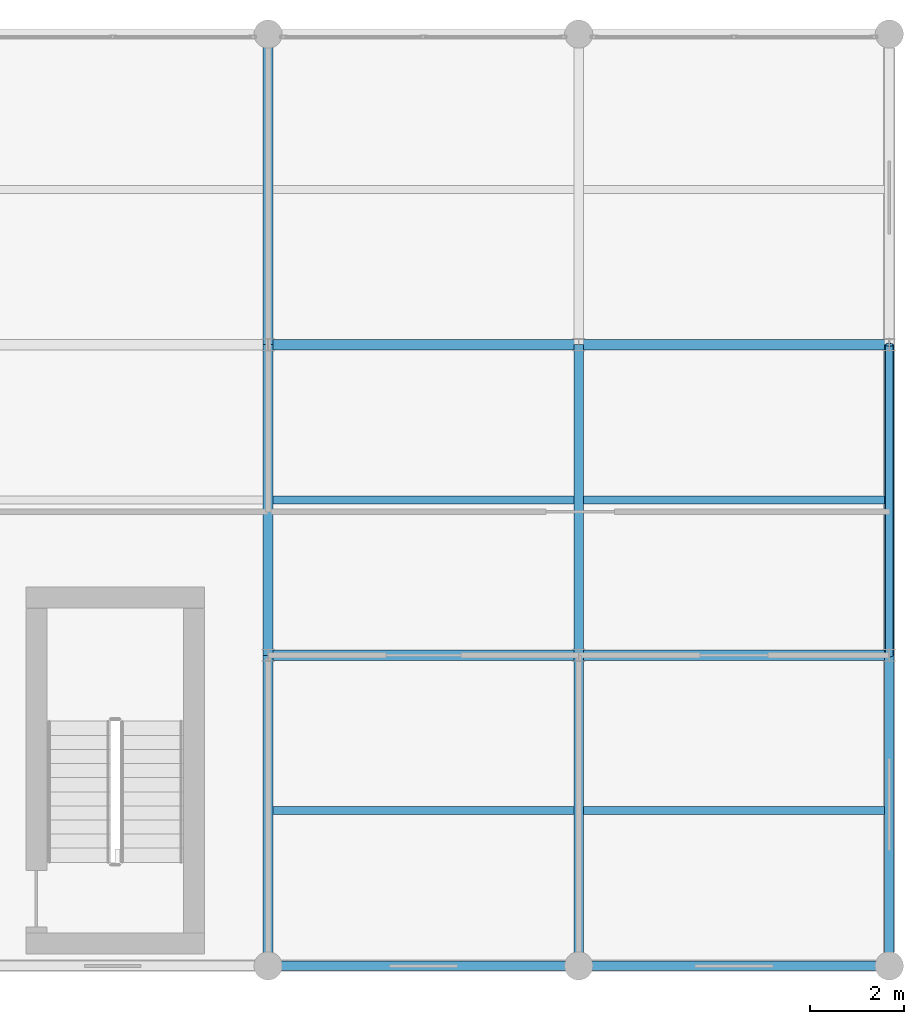
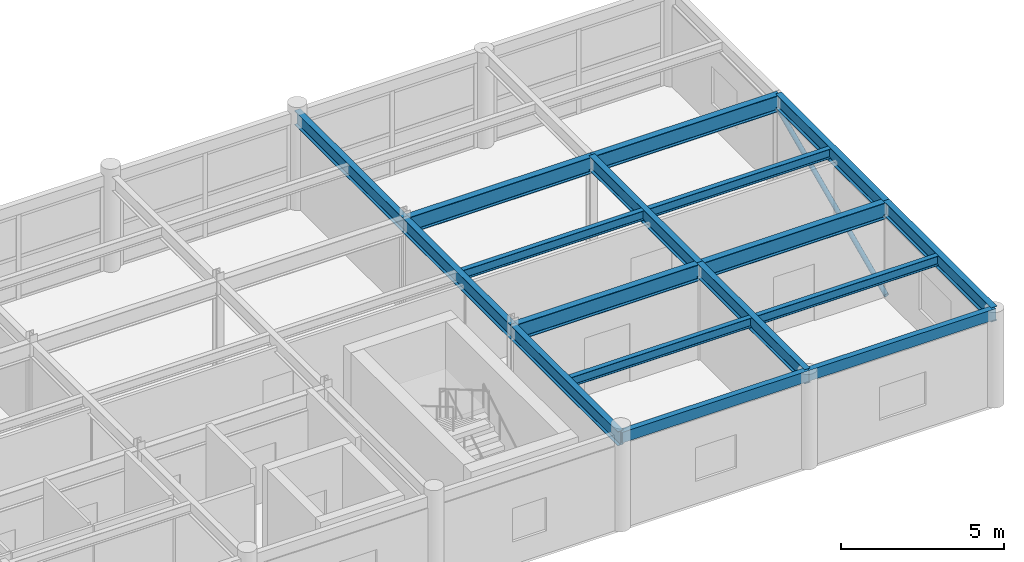
# One storey, part 9 of 17: 17 beams, 1 member.
"""IFC4 building model written with IfcOpenShell, lengths in metres."""

import ifcopenshell
import ifcopenshell.guid

model = None  # the IFC model being written
_history = None  # IfcOwnerHistory: only IFC2X3 demands one
_inside = {}  # id of a spatial element -> (the spatial element, [elements in it])
_under = {}  # id of a project, library or spatial element -> (it, [spatial elements below it])
_declared = {}  # id of a project -> (the project, [libraries it declares])
_typed = {}  # id of a type object -> (the type object, [elements of that type])
_made_of = {}  # id of a material, layer set ... -> (it, [elements and type objects made of it])


def new_model(schema):
    """Start an empty IFC model of exactly this schema.

    Asked for "IFC4X3", IfcOpenShell would pick the latest addendum, in which some entities
    have other attributes; the version numbers below select the first issue.
    IFC2X3 requires an IfcOwnerHistory on every rooted entity: one is made here for all.
    """
    global model, _history
    if schema == "IFC4X3":
        model = ifcopenshell.file(schema_version=(4, 3, 0, 0))
    else:
        model = ifcopenshell.file(schema=schema)
    _inside.clear()
    _under.clear()
    _declared.clear()
    _typed.clear()
    _made_of.clear()
    _history = None
    if model.schema == "IFC2X3":
        org = make("IfcOrganization", Name="unknown")
        user = make(
            "IfcPersonAndOrganization",
            ThePerson=make("IfcPerson", FamilyName="unknown"),
            TheOrganization=org,
        )
        app = make(
            "IfcApplication",
            ApplicationDeveloper=org,
            Version="unknown",
            ApplicationFullName="unknown",
            ApplicationIdentifier="unknown",
        )
        _history = make(
            "IfcOwnerHistory",
            OwningUser=user,
            OwningApplication=app,
            ChangeAction="ADDED",
            CreationDate=0,
        )
    return model


def make(cls, **values):
    """One entity of the class cls with the attributes given. An attribute that is None is left unset."""
    return model.create_entity(
        cls, **{name: value for name, value in values.items() if value is not None}
    )


def rooted(cls, **values):
    """An entity with a GlobalId (a new one), such as an element, a storey or a relation."""
    return make(cls, GlobalId=ifcopenshell.guid.new(), OwnerHistory=_history, **values)


def si_unit(unit_type, name, prefix=None):
    """IfcSIUnit, for example si_unit("LENGTHUNIT", "METRE", prefix="MILLI")."""
    return make("IfcSIUnit", UnitType=unit_type, Prefix=prefix, Name=name)


def assignment(units):
    """IfcUnitAssignment: the units of a project."""
    return None if units is None else make("IfcUnitAssignment", Units=units)


def point(xyz):
    """IfcCartesianPoint."""
    return None if xyz is None else make("IfcCartesianPoint", Coordinates=xyz)


def direction(xyz):
    """IfcDirection."""
    return None if xyz is None else make("IfcDirection", DirectionRatios=xyz)


def frame(location, z_axis=None, x_axis=None):
    """IfcAxis2Placement3D, a coordinate frame: its origin and axes. An axis left out is left unset."""
    return make(
        "IfcAxis2Placement3D",
        Location=point(location),
        Axis=direction(z_axis),
        RefDirection=direction(x_axis),
    )


def frame_2d(location, x_axis=None):
    """IfcAxis2Placement2D, a coordinate frame in the plane: its origin and x axis."""
    return make(
        "IfcAxis2Placement2D", Location=point(location), RefDirection=direction(x_axis)
    )


def origin():
    """The frame at (0, 0, 0) with its axes left unset."""
    return frame((0.0, 0.0, 0.0))


def origin_2d():
    """The frame at (0, 0) in the plane with its x axis left unset."""
    return frame_2d((0.0, 0.0))


def place(relative_to, where):
    """IfcLocalPlacement: puts the frame where relative to a parent placement (None: the world)."""
    return make(
        "IfcLocalPlacement", PlacementRelTo=relative_to, RelativePlacement=where
    )


def context(
    kind, dimensions, precision=None, world=None, true_north=None, identifier=None
):
    """IfcGeometricRepresentationContext, for example the 3D "Model" context."""
    return make(
        "IfcGeometricRepresentationContext",
        ContextIdentifier=identifier,
        ContextType=kind,
        CoordinateSpaceDimension=dimensions,
        Precision=precision,
        WorldCoordinateSystem=world,
        TrueNorth=true_north,
    )


def subcontext(parent, identifier, kind, view, scale=None):
    """IfcGeometricRepresentationSubContext, for example "Body" below "Model"."""
    return make(
        "IfcGeometricRepresentationSubContext",
        ContextIdentifier=identifier,
        ContextType=kind,
        ParentContext=parent,
        TargetScale=scale,
        TargetView=view,
    )


def project(units=None, contexts=None):
    """IfcProject with its units and contexts."""
    return rooted(
        "IfcProject",
        Name="project",
        RepresentationContexts=contexts,
        UnitsInContext=assignment(units),
    )


def spatial(cls, under=None, at=None, **own):
    """A site, building, storey or space (cls), placed at a placement, below another one or the project."""
    s = rooted(cls, ObjectPlacement=at, **own)
    if under is not None:
        _under.setdefault(under.id(), (under, []))[1].append(s)
    return s


def profile(cls, at=None, kind="AREA", **sizes):
    """A parametric profile (cls). Its sizes go by their IFC names, for example OverallWidth=200.0."""
    return make(cls, ProfileType=kind, Position=at, **sizes)


def hollow_rectangle(**sizes):
    """IfcRectangleHollowProfileDef."""
    return profile("IfcRectangleHollowProfileDef", **sizes)


def hollow_circle(**sizes):
    """IfcCircleHollowProfileDef."""
    return profile("IfcCircleHollowProfileDef", **sizes)


def i_section(**sizes):
    """IfcIShapeProfileDef."""
    return profile("IfcIShapeProfileDef", **sizes)


def extrude(swept, where, along, depth):
    """IfcExtrudedAreaSolid: the profile swept, set in the frame where, extruded along a direction by depth."""
    return make(
        "IfcExtrudedAreaSolid",
        SweptArea=swept,
        Position=where,
        ExtrudedDirection=direction(along),
        Depth=depth,
    )


def shape(context_of_items, identifier, shape_type, items):
    """IfcShapeRepresentation: the items that make up one representation, for example the "Body"."""
    return make(
        "IfcShapeRepresentation",
        ContextOfItems=context_of_items,
        RepresentationIdentifier=identifier,
        RepresentationType=shape_type,
        Items=items,
    )


def material(Name=None, Category=None):
    """IfcMaterial."""
    return make("IfcMaterial", Name=Name, Category=Category)


def material_profile(
    of_material, cross_section, Name=None, Category=None, Priority=None
):
    """IfcMaterialProfile: a cross section and its material."""
    return make(
        "IfcMaterialProfile",
        Name=Name,
        Material=of_material,
        Profile=cross_section,
        Priority=Priority,
        Category=Category,
    )


def profile_set(profiles, Name=None, composite=None):
    """IfcMaterialProfileSet."""
    return make(
        "IfcMaterialProfileSet",
        Name=Name,
        MaterialProfiles=profiles,
        CompositeProfile=composite,
    )


def made_of(thing, what):
    """Note that an element or type object is made of a material, layer set ...; save() writes the relation."""
    if what is not None:
        _made_of.setdefault(what.id(), (what, []))[1].append(thing)
    return thing


def type_object(cls, material=None, **own):
    """A type object (cls), such as IfcWallType, which elements share."""
    return made_of(rooted(cls, **own), material)


def element(
    cls,
    number,
    at=None,
    inside=None,
    cuts=None,
    type_object=None,
    material=None,
    context=None,
    identifier="Body",
    shape_type=None,
    held_by="IfcProductDefinitionShape",
    body=None,
    shapes=None,
    **own,
):
    """One element of the class cls, such as IfcWall. Its Tag is "e" and its number.

    at: its placement. inside: the storey or other place that contains it. cuts: it is an
    opening in that element (IfcRelVoidsElement). A single representation is given by context,
    identifier, shape_type and body (its items); several are given by shapes. held_by: the class
    of the entity that holds the representations. save() writes the other relations.
    """
    e = rooted(cls, Tag="e%d" % number, ObjectPlacement=at, **own)
    if body is not None:
        shapes = [shape(context, identifier, shape_type, body)]
    if shapes is not None:
        e.Representation = make(held_by, Representations=shapes)
    if inside is not None:
        _inside.setdefault(inside.id(), (inside, []))[1].append(e)
    if cuts is not None:
        rooted(
            "IfcRelVoidsElement", RelatingBuildingElement=cuts, RelatedOpeningElement=e
        )
    if type_object is not None:
        _typed.setdefault(type_object.id(), (type_object, []))[1].append(e)
    return made_of(e, material)


def aggregate(whole, parts):
    """IfcRelAggregates: a whole, such as a stair, and the parts it consists of."""
    return rooted("IfcRelAggregates", RelatingObject=whole, RelatedObjects=parts)


def save(model, path):
    """Write the relations noted so far, then the file.

    IfcRelAggregates (storeys below a building ...), IfcRelContainedInSpatialStructure (elements
    in a storey), IfcRelDefinesByType, IfcRelAssociatesMaterial and IfcRelDeclares: one each for
    every whole, place, type object, material and project.
    """
    for whole, parts in _under.values():
        aggregate(whole, parts)
    for where, things in _inside.values():
        rooted(
            "IfcRelContainedInSpatialStructure",
            RelatedElements=things,
            RelatingStructure=where,
        )
    for kind, things in _typed.values():
        rooted("IfcRelDefinesByType", RelatedObjects=things, RelatingType=kind)
    for what, things in _made_of.values():
        rooted("IfcRelAssociatesMaterial", RelatedObjects=things, RelatingMaterial=what)
    for by, libraries in _declared.values():
        rooted("IfcRelDeclares", RelatingContext=by, RelatedDefinitions=libraries)
    model.write(path)


model = new_model("IFC4")

# Units and contexts
model_context = context("Model", 3, precision=1e-05, world=origin(), true_north=direction((0.0, 1.0)))
body_context = subcontext(model_context, "Body", "Model", "MODEL_VIEW")
ifc_project = project(units=[si_unit("LENGTHUNIT", "METRE"), si_unit("AREAUNIT", "SQUARE_METRE"), si_unit("VOLUMEUNIT", "CUBIC_METRE"), si_unit("PLANEANGLEUNIT", "RADIAN"), si_unit("MASSUNIT", "GRAM", prefix="KILO")], contexts=[model_context])

# Site, building, storey
site_placement = place(None, origin())
site = spatial("IfcSite", under=ifc_project, at=site_placement, CompositionType="ELEMENT")
building_placement = place(site_placement, origin())
building = spatial("IfcBuilding", under=site, at=building_placement, Name="Karori Crest Natural Sciences Institute", CompositionType="ELEMENT")
storey_placement = place(building_placement, frame((0.0, 0.0, 38.14990234375)))
storey = spatial("IfcBuildingStorey", under=building, at=storey_placement, Name="L09", CompositionType="ELEMENT", Elevation=38.14990234375)

# Beams
ifc_material_1 = material(Name="Structural steel AS/NZS 3679.1 Grade 350", Category="steel")
ifc_material_profile_1 = material_profile(ifc_material_1, i_section(OverallWidth=0.22900390625, OverallDepth=0.612060546875, WebThickness=0.011962890625, FlangeThickness=0.01953125, FilletRadius=0.013916015625, at=origin_2d()), Name="610UB125")
ifc_profile_set_1 = profile_set([ifc_material_profile_1], Name="Structural steel AS/NZS 3679.1 Grade 350")
beam_type_1 = type_object("IfcBeamType", Name="BT-04", PredefinedType="BEAM", material=ifc_profile_set_1)
beam_1_placement = place(storey_placement, frame((136.60009765625, 7.39990234375, 3.26416015625), z_axis=(1.0, 0.0, 0.0), x_axis=(0.0, 1.0, 0.0)))
element("IfcBeam", 1, at=beam_1_placement, inside=storey, type_object=beam_type_1, Name="Beam B-2772", PredefinedType="BEAM", context=body_context, shape_type="SweptSolid", body=[
    extrude(i_section(OverallWidth=0.22900390625, OverallDepth=0.612060546875, WebThickness=0.011962890625, FlangeThickness=0.01953125, FilletRadius=0.013916015625, at=origin_2d()), origin(), (0.0, 0.0, 1.0), 6.599853515625),
])
beam_2_placement = place(storey_placement, frame((143.199951171875, 7.39990234375, 3.26416015625), z_axis=(1.0, 0.0, 0.0), x_axis=(0.0, 1.0, 0.0)))
element("IfcBeam", 2, at=beam_2_placement, inside=storey, type_object=beam_type_1, Name="Beam B-2773", PredefinedType="BEAM", context=body_context, shape_type="SweptSolid", body=[
    extrude(i_section(OverallWidth=0.22900390625, OverallDepth=0.612060546875, WebThickness=0.011962890625, FlangeThickness=0.01953125, FilletRadius=0.013916015625, at=origin_2d()), origin(), (0.0, 0.0, 1.0), 6.60009765625),
])
beam_3_placement = place(storey_placement, frame((136.60009765625, 14.0, 3.26416015625), z_axis=(1.0, 0.0, 0.0), x_axis=(0.0, 1.0, 0.0)))
element("IfcBeam", 3, at=beam_3_placement, inside=storey, type_object=beam_type_1, Name="Beam B-2779", PredefinedType="BEAM", context=body_context, shape_type="SweptSolid", body=[
    extrude(i_section(OverallWidth=0.22900390625, OverallDepth=0.612060546875, WebThickness=0.011962890625, FlangeThickness=0.01953125, FilletRadius=0.013916015625, at=origin_2d()), origin(), (0.0, 0.0, 1.0), 6.599853515625),
])
beam_4_placement = place(storey_placement, frame((143.199951171875, 14.0, 3.26416015625), z_axis=(1.0, 0.0, 0.0), x_axis=(0.0, 1.0, 0.0)))
element("IfcBeam", 4, at=beam_4_placement, inside=storey, type_object=beam_type_1, Name="Beam B-2780", PredefinedType="BEAM", context=body_context, shape_type="SweptSolid", body=[
    extrude(i_section(OverallWidth=0.22900390625, OverallDepth=0.612060546875, WebThickness=0.011962890625, FlangeThickness=0.01953125, FilletRadius=0.013916015625, at=origin_2d()), origin(), (0.0, 0.0, 1.0), 6.60009765625),
])
ifc_material_profile_2 = material_profile(ifc_material_1, i_section(OverallWidth=0.208984375, OverallDepth=0.532958984375, WebThickness=0.01025390625, FlangeThickness=0.015625, FilletRadius=0.013916015625, at=origin_2d()), Name="530UB92.4")
ifc_profile_set_2 = profile_set([ifc_material_profile_2], Name="Structural steel AS/NZS 3679.1 Grade 350")
beam_type_2 = type_object("IfcBeamType", Name="BT-05", PredefinedType="BEAM", material=ifc_profile_set_2)
beam_5_placement = place(storey_placement, frame((136.60009765625, 0.800048828125, 3.3037109375), z_axis=(0.0, 1.0, 0.0), x_axis=(-1.0, 0.0, 0.0)))
element("IfcBeam", 5, at=beam_5_placement, inside=storey, type_object=beam_type_2, Name="Beam B-2803", PredefinedType="BEAM", context=body_context, shape_type="SweptSolid", body=[
    extrude(i_section(OverallWidth=0.208984375, OverallDepth=0.532958984375, WebThickness=0.01025390625, FlangeThickness=0.015625, FilletRadius=0.013916015625, at=origin_2d()), origin(), (0.0, 0.0, 1.0), 6.599853515625),
])
for number, where, z_axis, x_axis, name in (
    (6, (136.60009765625, 7.39990234375, 3.3037109375), (0.0, 1.0, 0.0), (-1.0, 0.0, 0.0), "Beam B-2804"),
    (7, (136.60009765625, 14.0, 3.3037109375), (0.0, 1.0, 0.0), (-1.0, 0.0, 0.0), "Beam B-2805"),
):
    element("IfcBeam", number, at=place(storey_placement, frame(where, z_axis=z_axis, x_axis=x_axis)), inside=storey, type_object=beam_type_2, Name=name, PredefinedType="BEAM", context=body_context, shape_type="SweptSolid", body=[
        extrude(i_section(OverallWidth=0.208984375, OverallDepth=0.532958984375, WebThickness=0.01025390625, FlangeThickness=0.015625, FilletRadius=0.013916015625, at=origin_2d()), origin(), (0.0, 0.0, 1.0), 6.60009765625),
    ])
beam_6_placement = place(storey_placement, frame((143.199951171875, 0.800048828125, 3.3037109375), z_axis=(0.0, 1.0, 0.0), x_axis=(-1.0, 0.0, 0.0)))
element("IfcBeam", 8, at=beam_6_placement, inside=storey, type_object=beam_type_2, Name="Beam B-2806", PredefinedType="BEAM", context=body_context, shape_type="SweptSolid", body=[
    extrude(i_section(OverallWidth=0.208984375, OverallDepth=0.532958984375, WebThickness=0.01025390625, FlangeThickness=0.015625, FilletRadius=0.013916015625, at=origin_2d()), origin(), (0.0, 0.0, 1.0), 6.599853515625),
])
beam_7_placement = place(storey_placement, frame((143.199951171875, 7.39990234375, 3.3037109375), z_axis=(0.0, 1.0, 0.0), x_axis=(-1.0, 0.0, 0.0)))
element("IfcBeam", 9, at=beam_7_placement, inside=storey, type_object=beam_type_2, Name="Beam B-2807", PredefinedType="BEAM", context=body_context, shape_type="SweptSolid", body=[
    extrude(i_section(OverallWidth=0.208984375, OverallDepth=0.532958984375, WebThickness=0.01025390625, FlangeThickness=0.015625, FilletRadius=0.013916015625, at=origin_2d()), origin(), (0.0, 0.0, 1.0), 6.60009765625),
])
ifc_material_profile_3 = material_profile(ifc_material_1, i_section(OverallWidth=0.208984375, OverallDepth=0.532958984375, WebThickness=0.01025390625, FlangeThickness=0.015625, FilletRadius=0.013916015625, at=origin_2d()), Name="530UB92.4")
ifc_profile_set_3 = profile_set([ifc_material_profile_3], Name="Structural steel AS/NZS 3679.1 Grade 350")
beam_type_3 = type_object("IfcBeamType", Name="BT-05-EL", PredefinedType="BEAM", material=ifc_profile_set_3)
beam_8_placement = place(storey_placement, frame((149.800048828125, 0.800048828125, 3.3037109375), z_axis=(0.0, 1.0, 0.0), x_axis=(-1.0, 0.0, 0.0)))
element("IfcBeam", 10, at=beam_8_placement, inside=storey, type_object=beam_type_3, Name="Beam B-2809", PredefinedType="BEAM", context=body_context, shape_type="SweptSolid", body=[
    extrude(i_section(OverallWidth=0.208984375, OverallDepth=0.532958984375, WebThickness=0.01025390625, FlangeThickness=0.015625, FilletRadius=0.013916015625, at=origin_2d()), origin(), (0.0, 0.0, 1.0), 6.599853515625),
])
beam_9_placement = place(storey_placement, frame((149.800048828125, 7.39990234375, 3.3037109375), z_axis=(0.0, 1.0, 0.0), x_axis=(-1.0, 0.0, 0.0)))
element("IfcBeam", 11, at=beam_9_placement, inside=storey, type_object=beam_type_3, Name="Beam B-2810", PredefinedType="BEAM", context=body_context, shape_type="SweptSolid", body=[
    extrude(i_section(OverallWidth=0.208984375, OverallDepth=0.532958984375, WebThickness=0.01025390625, FlangeThickness=0.015625, FilletRadius=0.013916015625, at=origin_2d()), origin(), (0.0, 0.0, 1.0), 6.60009765625),
])
ifc_material_profile_4 = material_profile(ifc_material_1, i_section(OverallWidth=0.172119140625, OverallDepth=0.35888671875, WebThickness=0.008056640625, FlangeThickness=0.012939453125, FilletRadius=0.010986328125, at=origin_2d()), Name="360UB56.7")
ifc_profile_set_4 = profile_set([ifc_material_profile_4], Name="Structural steel AS/NZS 3679.1 Grade 350")
beam_type_4 = type_object("IfcBeamType", Name="BT-08", PredefinedType="BEAM", material=ifc_profile_set_4)
for number, where, z_axis, x_axis, name in (
    (12, (136.70458984375, 4.10009765625, 3.390625), (1.0, 0.0, 0.0), (0.0, 1.0, 0.0), "Beam B-2823"),
    (13, (136.70458984375, 10.699951171875, 3.390625), (1.0, 0.0, 0.0), (0.0, 1.0, 0.0), "Beam B-2824"),
):
    element("IfcBeam", number, at=place(storey_placement, frame(where, z_axis=z_axis, x_axis=x_axis)), inside=storey, type_object=beam_type_4, Name=name, PredefinedType="BEAM", context=body_context, shape_type="SweptSolid", body=[
        extrude(i_section(OverallWidth=0.172119140625, OverallDepth=0.35888671875, WebThickness=0.008056640625, FlangeThickness=0.012939453125, FilletRadius=0.010986328125, at=origin_2d()), origin(), (0.0, 0.0, 1.0), 6.390869140625),
    ])
for number, where, z_axis, x_axis, name in (
    (14, (143.304443359375, 4.10009765625, 3.390625), (1.0, 0.0, 0.0), (0.0, 1.0, 0.0), "Beam B-2826"),
    (15, (143.304443359375, 10.699951171875, 3.390625), (1.0, 0.0, 0.0), (0.0, 1.0, 0.0), "Beam B-2827"),
):
    element("IfcBeam", number, at=place(storey_placement, frame(where, z_axis=z_axis, x_axis=x_axis)), inside=storey, type_object=beam_type_4, Name=name, PredefinedType="BEAM", context=body_context, shape_type="SweptSolid", body=[
        extrude(i_section(OverallWidth=0.172119140625, OverallDepth=0.35888671875, WebThickness=0.008056640625, FlangeThickness=0.012939453125, FilletRadius=0.010986328125, at=origin_2d()), origin(), (0.0, 0.0, 1.0), 6.39111328125),
    ])
ifc_material_2 = material(Name="Hollow structural steel AS/NZS 1163 Grade C350", Category="steel")
ifc_material_profile_5 = material_profile(ifc_material_2, hollow_rectangle(XDim=0.199951171875, YDim=0.39990234375, WallThickness=0.012451171875, at=origin_2d()), Name="RHS400x200x12.5")
ifc_profile_set_5 = profile_set([ifc_material_profile_5], Name="Hollow structural steel AS/NZS 1163 Grade C350")
beam_type_5 = type_object("IfcBeamType", Name="BT-14", PredefinedType="SPANDREL", material=ifc_profile_set_5)
beam_10_placement = place(storey_placement, frame((136.60009765625, 0.800048828125, 3.3701171875), z_axis=(1.0, 0.0, 0.0), x_axis=(0.0, 1.0, 0.0)))
element("IfcBeam", 16, at=beam_10_placement, inside=storey, type_object=beam_type_5, Name="Beam B-2767", PredefinedType="SPANDREL", context=body_context, shape_type="SweptSolid", body=[
    extrude(hollow_rectangle(XDim=0.199951171875, YDim=0.39990234375, WallThickness=0.012451171875, at=origin_2d()), origin(), (0.0, 0.0, 1.0), 6.599853515625),
])
beam_11_placement = place(storey_placement, frame((143.199951171875, 0.800048828125, 3.3701171875), z_axis=(1.0, 0.0, 0.0), x_axis=(0.0, 1.0, 0.0)))
element("IfcBeam", 17, at=beam_11_placement, inside=storey, type_object=beam_type_5, Name="Beam B-2768", PredefinedType="SPANDREL", context=body_context, shape_type="SweptSolid", body=[
    extrude(hollow_rectangle(XDim=0.199951171875, YDim=0.39990234375, WallThickness=0.012451171875, at=origin_2d()), origin(), (0.0, 0.0, 1.0), 6.60009765625),
])

# Member
ifc_material_profile_6 = material_profile(ifc_material_2, hollow_circle(Radius=0.084228515625, WallThickness=0.007080078125, at=origin_2d()), Name="CHS168.3x7.1")
ifc_profile_set_6 = profile_set([ifc_material_profile_6], Name="Hollow structural steel AS/NZS 1163 Grade C350")
member_type = type_object("IfcMemberType", Name="MT-03", PredefinedType="BRACE", material=ifc_profile_set_6)
member_placement = place(storey_placement, frame((149.800048828125, 7.39990234375, 0.010009765625), z_axis=(0.0, 0.912543210458, 0.408980303984), x_axis=(-1.0, 0.0, 0.0)))
element("IfcMember", 18, at=member_placement, inside=storey, type_object=member_type, Name="Diagonal Brace M-0458", PredefinedType="BRACE", context=body_context, shape_type="SweptSolid", body=[
    extrude(hollow_circle(Radius=0.084228515625, WallThickness=0.007080078125, at=origin_2d()), origin(), (0.0, 0.0, 1.0), 7.232666015625),
])

save(model, "model.ifc")
